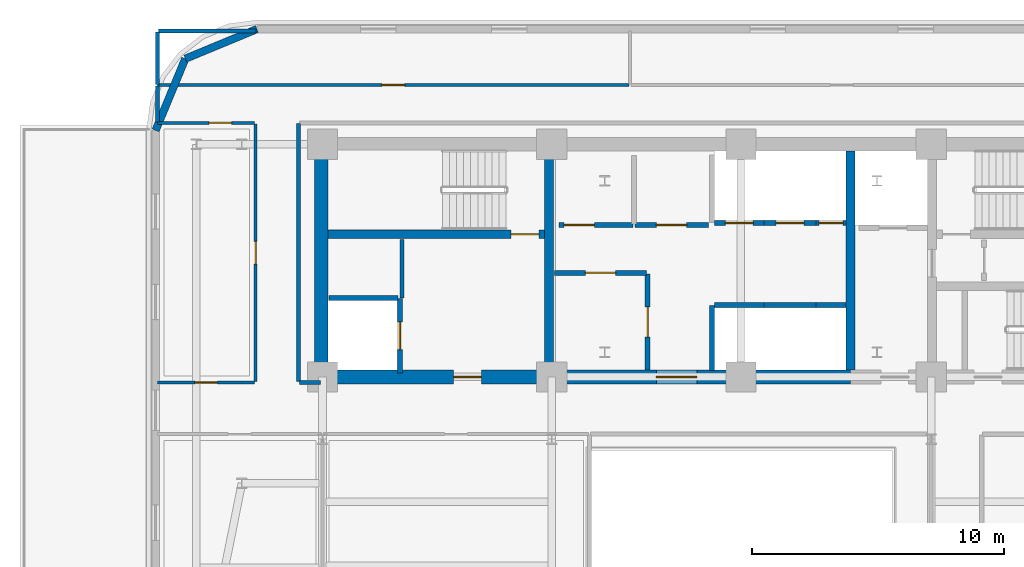
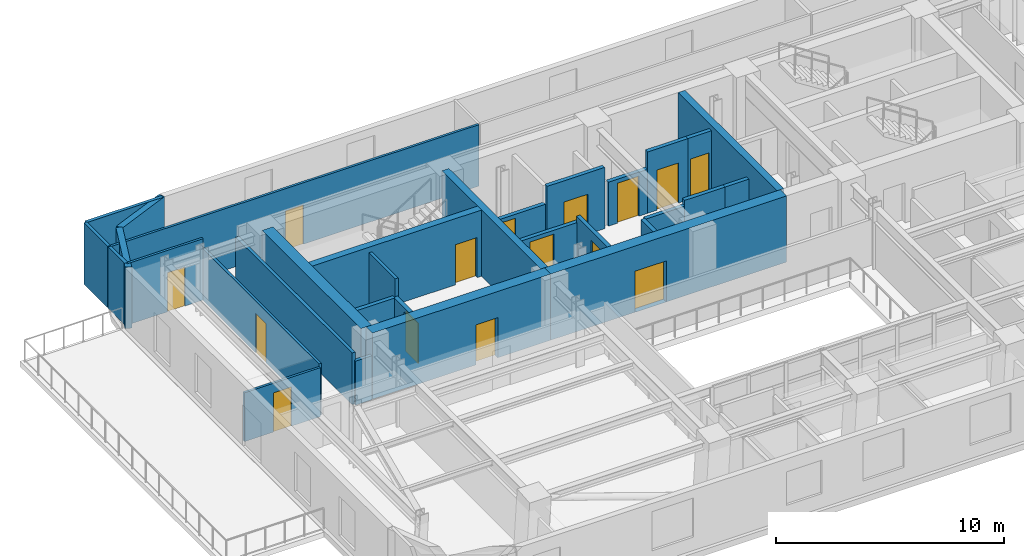
# One storey, part 7 of 13: 31 walls, 15 doors, 15 openings.
"""IFC4 building model written with IfcOpenShell, lengths in metres."""

from ifc_helpers import new_model, si_unit, direction, frame, frame_2d, origin, place, context, subcontext, project, spatial, rectangle, extrude, material, layer, layer_set, type_object, element, fill, save


model = new_model("IFC4")

# Units and contexts
model_context = context("Model", 3, precision=1e-05, world=origin(), true_north=direction((0.0, 1.0)))
body_context = subcontext(model_context, "Body", "Model", "MODEL_VIEW")
ifc_project = project(units=[si_unit("LENGTHUNIT", "METRE"), si_unit("AREAUNIT", "SQUARE_METRE"), si_unit("VOLUMEUNIT", "CUBIC_METRE"), si_unit("PLANEANGLEUNIT", "RADIAN"), si_unit("MASSUNIT", "GRAM", prefix="KILO")], contexts=[model_context])

# Site, building, storey
site_placement = place(None, origin())
site = spatial("IfcSite", under=ifc_project, at=site_placement, CompositionType="ELEMENT")
building_placement = place(site_placement, origin())
building = spatial("IfcBuilding", under=site, at=building_placement, Name="Zarnavel Station Tower", CompositionType="ELEMENT")
storey_placement = place(building_placement, frame((0.0, 0.0, 137.699951171875)))
storey = spatial("IfcBuildingStorey", under=building, at=storey_placement, Name="L37", CompositionType="ELEMENT", Elevation=137.699951171875)

# Walls
ifc_material_1 = material(Name="Concrete C50/60", Category="concrete")
ifc_layer_1 = layer(ifc_material_1, 0.35009765625)
ifc_layer_set_1 = layer_set([ifc_layer_1], Name="CW_350")
wall_type_1 = type_object("IfcWallType", Name="CW_350", PredefinedType="SHEAR", material=ifc_layer_set_1)
for number, where, z_axis, x_axis, name in (
    (1, (21.179931640625, 28.094970703125, 0.0), (0.0, 0.0, 1.0), (0.0, 1.0, 0.0), "L37 Rear Core Shear Wall DIV-W"),
    (2, (33.14990234375, 28.094970703125, 0.0), (0.0, 0.0, 1.0), (0.0, 1.0, 0.0), "L37 Rear Core Shear Wall DIV-E"),
):
    element("IfcWall", number, at=place(storey_placement, frame(where, z_axis=z_axis, x_axis=x_axis)), inside=storey, type_object=wall_type_1, Name=name, PredefinedType="SHEAR", context=body_context, shape_type="SweptSolid", body=[
        extrude(rectangle(XDim=8.679931640625, YDim=0.35009765625, at=frame_2d((4.33984375, 0.0))), origin(), (0.0, 0.0, 1.0), 3.550048828125),
    ])

# Wall, opening, door
wall_1_placement = place(storey_placement, frame((21.0048828125, 33.47998046875, 0.0), z_axis=(0.0, 0.0, 1.0), x_axis=(-1.0, 0.0, 0.0)))
wall_1 = element("IfcWall", 3, at=wall_1_placement, inside=storey, type_object=wall_type_1, Name="L37 Rear Core Shear Wall DIV-H1", PredefinedType="SHEAR", context=body_context, shape_type="SweptSolid", body=[
    extrude(rectangle(XDim=8.579833984375, YDim=0.35009765625, at=frame_2d((4.2900390625, 0.0))), origin(), (0.0, 0.0, 1.0), 3.550048828125),
])
opening_1_placement = place(wall_1_placement, frame((0.219970703125, 0.0, 0.0)))
opening_1 = element("IfcOpeningElement", 4, at=opening_1_placement, cuts=wall_1, Name="Opening FD01", PredefinedType="OPENING", context=body_context, shape_type="SweptSolid", body=[
    extrude(rectangle(XDim=1.10009765625, YDim=2.14990234375, at=frame_2d((0.550048828125, 1.074951171875))), frame((0.0, 0.18505859375, 0.0), z_axis=(0.0, -1.0, 0.0), x_axis=(1.0, 0.0, 0.0)), (0.0, 0.0, 1.0), 0.3701171875),
])
ifc_material_2 = material(Name="Painted Galvanised Steel and Hardwood Leaf", Category="steel")
door_type_1 = type_object("IfcDoorType", Name="ID_STAIR_1100", OperationType="NOTDEFINED", PredefinedType="DOOR", material=ifc_material_2)
door_1_placement = place(opening_1_placement, origin())
door_1 = element("IfcDoor", 5, at=door_1_placement, inside=storey, type_object=door_type_1, Name="L37 Stair ST1 Lobby Fire Door", OperationType="SINGLE_SWING_LEFT", OverallHeight=2.14990234375, OverallWidth=1.10009765625, PredefinedType="DOOR", context=body_context, shape_type="SweptSolid", body=[
    extrude(rectangle(XDim=1.10009765625, YDim=2.14990234375, at=frame_2d((0.550048828125, 1.074951171875))), frame((0.0, 0.02490234375, 0.0), z_axis=(0.0, -1.0, 0.0), x_axis=(1.0, 0.0, 0.0)), (0.0, 0.0, 1.0), 0.050048828125),
])
fill(opening_1, door_1)

ifc_material_3 = material(Name="Concrete C50/60", Category="concrete")
ifc_layer_2 = layer(ifc_material_3, 0.550048828125)
ifc_layer_set_2 = layer_set([ifc_layer_2], Name="CW_550")
wall_type_2 = type_object("IfcWallType", Name="CW_550", PredefinedType="SHEAR", material=ifc_layer_set_2)
wall_2_placement = place(storey_placement, frame((21.179931640625, 27.820068359375, 0.0), z_axis=(0.0, 0.0, 1.0), x_axis=(-1.0, 0.0, 0.0)))
wall_2 = element("IfcWall", 6, at=wall_2_placement, inside=storey, type_object=wall_type_2, Name="L37 Rear Core Shear Wall S-W", PredefinedType="SHEAR", context=body_context, shape_type="SweptSolid", body=[
    extrude(rectangle(XDim=9.030029296875, YDim=0.550048828125, at=frame_2d((4.51513671875, 0.0))), origin(), (0.0, 0.0, 1.0), 3.550048828125),
])
opening_2_placement = place(wall_2_placement, frame((2.679931640625, 0.0, 0.0)))
opening_2 = element("IfcOpeningElement", 7, at=opening_2_placement, cuts=wall_2, Name="Opening FD01", PredefinedType="OPENING", context=body_context, shape_type="SweptSolid", body=[
    extrude(rectangle(XDim=1.10009765625, YDim=2.14990234375, at=frame_2d((0.550048828125, 1.074951171875))), frame((0.0, 0.284912109375, 0.0), z_axis=(0.0, -1.0, 0.0), x_axis=(1.0, 0.0, 0.0)), (0.0, 0.0, 1.0), 0.570068359375),
])
door_2_placement = place(opening_2_placement, origin())
door_2 = element("IfcDoor", 8, at=door_2_placement, inside=storey, type_object=door_type_1, Name="L37 West Firefighting Lobby Door", OperationType="SINGLE_SWING_RIGHT", OverallHeight=2.14990234375, OverallWidth=1.10009765625, PredefinedType="DOOR", context=body_context, shape_type="SweptSolid", body=[
    extrude(rectangle(XDim=1.10009765625, YDim=2.14990234375, at=frame_2d((0.550048828125, 1.074951171875))), frame((0.0, 0.02490234375, 0.0), z_axis=(0.0, -1.0, 0.0), x_axis=(1.0, 0.0, 0.0)), (0.0, 0.0, 1.0), 0.050048828125),
])
fill(opening_2, door_2)

wall_3_placement = place(storey_placement, frame((33.14990234375, 27.820068359375, 0.0), z_axis=(0.0, 0.0, 1.0), x_axis=(-1.0, 0.0, 0.0)))
wall_3 = element("IfcWall", 9, at=wall_3_placement, inside=storey, type_object=wall_type_2, Name="L37 Rear Core Shear Wall S-M", PredefinedType="SHEAR", context=body_context, shape_type="SweptSolid", body=[
    extrude(rectangle(XDim=11.969970703125, YDim=0.550048828125, at=frame_2d((5.98486328125, 0.0))), origin(), (0.0, 0.0, 1.0), 3.550048828125),
])
opening_3_placement = place(wall_3_placement, frame((6.10009765625, 0.0, 0.0)))
opening_3 = element("IfcOpeningElement", 10, at=opening_3_placement, cuts=wall_3, Name="Opening ID03", PredefinedType="OPENING", context=body_context, shape_type="SweptSolid", body=[
    extrude(rectangle(XDim=1.60009765625, YDim=2.199951171875, at=frame_2d((0.800048828125, 1.10009765625))), frame((0.0, 0.284912109375, 0.0), z_axis=(0.0, -1.0, 0.0), x_axis=(1.0, 0.0, 0.0)), (0.0, 0.0, 1.0), 0.570068359375),
])
ifc_material_4 = material(Name="Painted Galvanised Steel and Hardwood Leaf", Category="steel")
door_type_2 = type_object("IfcDoorType", Name="ID_PUBLIC_1600", OperationType="DOUBLE_DOOR_SINGLE_SWING", PredefinedType="DOOR", material=ifc_material_4)
door_3_placement = place(opening_3_placement, origin())
door_3 = element("IfcDoor", 11, at=door_3_placement, inside=storey, type_object=door_type_2, Name="L37 Passenger Lift Lobby Double Door", OperationType="SINGLE_SWING_LEFT", OverallHeight=2.199951171875, OverallWidth=1.60009765625, PredefinedType="DOOR", context=body_context, shape_type="SweptSolid", body=[
    extrude(rectangle(XDim=1.60009765625, YDim=2.199951171875, at=frame_2d((0.800048828125, 1.10009765625))), frame((0.0, 0.02490234375, 0.0), z_axis=(0.0, -1.0, 0.0), x_axis=(1.0, 0.0, 0.0)), (0.0, 0.0, 1.0), 0.050048828125),
])
fill(opening_3, door_3)

# Walls
wall_4_placement = place(storey_placement, frame((12.14990234375, 28.094970703125, 0.0), z_axis=(0.0, 0.0, 1.0), x_axis=(0.0, 1.0, 0.0)))
element("IfcWall", 12, at=wall_4_placement, inside=storey, type_object=wall_type_2, Name="L37 Rear Core Shear Wall W", PredefinedType="SHEAR", context=body_context, shape_type="SweptSolid", body=[
    extrude(rectangle(XDim=8.679931640625, YDim=0.550048828125, at=frame_2d((4.33984375, 0.0))), origin(), (0.0, 0.0, 1.0), 3.550048828125),
])
ifc_material_5 = material(Name="Precast concrete C45/55 (Dark Basalt Finish)", Category="masonry")
ifc_layer_3 = layer(ifc_material_5, 0.300048828125)
ifc_layer_set_3 = layer_set([ifc_layer_3], Name="EW_BASALT_300")
wall_type_3 = type_object("IfcWallType", Name="EW_BASALT_300", PredefinedType="SOLIDWALL", material=ifc_layer_set_3)
wall_5_placement = place(storey_placement, frame((6.75732421875, 40.442626953125, 0.0), z_axis=(0.0, 0.0, 1.0), x_axis=(0.923882414032, 0.382676475685, 0.0)))
element("IfcWall", 13, at=wall_5_placement, inside=storey, type_object=wall_type_3, Name="L37 Exterior Basalt Masonry Frame Wall 07", PredefinedType="SOLIDWALL", context=body_context, shape_type="SweptSolid", body=[
    extrude(rectangle(XDim=3.076904296875, YDim=0.300048828125, at=frame_2d((1.53857421875, 0.0))), origin(), (0.0, 0.0, 1.0), 3.2900390625),
])
wall_6_placement = place(storey_placement, frame((5.580078125, 37.60009765625, 0.0), z_axis=(0.0, 0.0, 1.0), x_axis=(0.382636798336, 0.92389884758, 0.0)))
element("IfcWall", 14, at=wall_6_placement, inside=storey, type_object=wall_type_3, Name="L37 Exterior Basalt Masonry Frame Wall 08", PredefinedType="SOLIDWALL", context=body_context, shape_type="SweptSolid", body=[
    extrude(rectangle(XDim=3.07666015625, YDim=0.300048828125, at=frame_2d((1.538330078125, 0.0))), origin(), (0.0, 0.0, 1.0), 3.2900390625),
])
ifc_material_6 = material(Name="Gypsum Twin-Stud Acoustic Fire Partition", Category="concrete")
ifc_layer_4 = layer(ifc_material_6, 0.159912109375)
ifc_layer_set_4 = layer_set([ifc_layer_4], Name="PT_DEMISE_160")
wall_type_4 = type_object("IfcWallType", Name="PT_DEMISE_160", PredefinedType="PARTITIONING", material=ifc_layer_set_4)
wall_7_placement = place(storey_placement, frame((15.35009765625, 30.9599609375, 0.0), z_axis=(0.0, 0.0, 1.0), x_axis=(0.0, 1.0, 0.0)))
element("IfcWall", 15, at=wall_7_placement, inside=storey, type_object=wall_type_4, Name="L37 Enclosure Wall FFL1", PredefinedType="PARTITIONING", context=body_context, shape_type="SweptSolid", body=[
    extrude(rectangle(XDim=2.31005859375, YDim=0.159912109375, at=frame_2d((1.155029296875, 0.0))), origin(), (0.0, 0.0, 1.0), 3.2900390625),
])
wall_8_placement = place(storey_placement, frame((11.280029296875, 27.60009765625, 0.0), z_axis=(0.0, 0.0, 1.0), x_axis=(1.0, 0.0, 0.0)))
element("IfcWall", 16, at=wall_8_placement, inside=storey, type_object=wall_type_4, Name="L37 Enclosure Wall COR-S", PredefinedType="PARTITIONING", context=body_context, shape_type="SweptSolid", body=[
    extrude(rectangle(XDim=0.840087890625, YDim=0.159912109375, at=frame_2d((0.419921875, 0.0))), origin(), (0.0, 0.0, 1.0), 2.360107421875),
])
wall_9_placement = place(storey_placement, frame((11.25, 27.6298828125, 0.0), z_axis=(0.0, 0.0, 1.0), x_axis=(0.0, 1.0, 0.0)))
element("IfcWall", 17, at=wall_9_placement, inside=storey, type_object=wall_type_4, Name="L37 Enclosure Wall COR-W", PredefinedType="PARTITIONING", context=body_context, shape_type="SweptSolid", body=[
    extrude(rectangle(XDim=10.240234375, YDim=0.159912109375, at=frame_2d((5.1201171875, 0.0))), origin(), (0.0, 0.0, 1.0), 2.77001953125),
])
wall_10_placement = place(storey_placement, frame((5.659912109375, 37.929931640625, 0.0), z_axis=(0.0, 0.0, 1.0), x_axis=(0.0, 1.0, 0.0)))
element("IfcWall", 18, at=wall_10_placement, inside=storey, type_object=wall_type_4, Name="L37 Enclosure Wall COR-N", PredefinedType="PARTITIONING", context=body_context, shape_type="SweptSolid", body=[
    extrude(rectangle(XDim=1.440185546875, YDim=0.159912109375, at=frame_2d((0.72021484375, 0.0))), origin(), (0.0, 0.0, 1.0), 3.2900390625),
])
wall_11_placement = place(storey_placement, frame((5.68994140625, 41.5400390625, 0.0), z_axis=(0.0, 0.0, 1.0), x_axis=(1.0, 0.0, 0.0)))
element("IfcWall", 19, at=wall_11_placement, inside=storey, type_object=wall_type_4, Name="L37 Enclosure Wall NLIB", PredefinedType="PARTITIONING", context=body_context, shape_type="SweptSolid", body=[
    extrude(rectangle(XDim=3.880126953125, YDim=0.159912109375, at=frame_2d((1.93994140625, 0.0))), origin(), (0.0, 0.0, 1.0), 3.2900390625),
])
wall_12_placement = place(storey_placement, frame((5.659912109375, 39.429931640625, 0.0), z_axis=(0.0, 0.0, 1.0), x_axis=(0.0, 1.0, 0.0)))
element("IfcWall", 20, at=wall_12_placement, inside=storey, type_object=wall_type_4, Name="L37 Enclosure Wall NLIB", PredefinedType="PARTITIONING", context=body_context, shape_type="SweptSolid", body=[
    extrude(rectangle(XDim=2.080078125, YDim=0.159912109375, at=frame_2d((1.0400390625, 0.0))), origin(), (0.0, 0.0, 1.0), 3.2900390625),
])

# Wall, opening, door
ifc_material_7 = material(Name="Gypsum Metal-Stud Interior Partition", Category="concrete")
ifc_layer_5 = layer(ifc_material_7, 0.1201171875)
ifc_layer_set_5 = layer_set([ifc_layer_5], Name="PT_ROOM_120")
wall_type_5 = type_object("IfcWallType", Name="PT_ROOM_120", PredefinedType="PARTITIONING", material=ifc_layer_set_5)
wall_13_placement = place(storey_placement, frame((5.659912109375, 27.60009765625, 0.0), z_axis=(0.0, 0.0, 1.0), x_axis=(1.0, 0.0, 0.0)))
wall_13 = element("IfcWall", 21, at=wall_13_placement, inside=storey, type_object=wall_type_5, Name="L37 Partition COR-S-FNW", PredefinedType="PARTITIONING", context=body_context, shape_type="SweptSolid", body=[
    extrude(rectangle(XDim=3.85009765625, YDim=0.1201171875, at=frame_2d((1.925048828125, 0.0))), origin(), (0.0, 0.0, 1.0), 2.6201171875),
])
opening_4_placement = place(wall_13_placement, frame((1.47509765625, 0.0, 0.0)))
opening_4 = element("IfcOpeningElement", 22, at=opening_4_placement, cuts=wall_13, Name="Opening ID01", PredefinedType="OPENING", context=body_context, shape_type="SweptSolid", body=[
    extrude(rectangle(XDim=0.89990234375, YDim=2.10009765625, at=frame_2d((0.449951171875, 1.050048828125))), frame((0.0, 0.070068359375, 0.0), z_axis=(0.0, -1.0, 0.0), x_axis=(1.0, 0.0, 0.0)), (0.0, 0.0, 1.0), 0.14013671875),
])
ifc_material_8 = material(Name="Painted Galvanised Steel and Hardwood Leaf", Category="steel")
door_type_3 = type_object("IfcDoorType", Name="ID_ROOM_900", OperationType="NOTDEFINED", PredefinedType="DOOR", material=ifc_material_8)
door_4_placement = place(opening_4_placement, origin())
door_4 = element("IfcDoor", 23, at=door_4_placement, inside=storey, type_object=door_type_3, Name="L37 Door COR-S-FNW", OperationType="SINGLE_SWING_RIGHT", OverallHeight=2.10009765625, OverallWidth=0.89990234375, PredefinedType="DOOR", context=body_context, shape_type="SweptSolid", body=[
    extrude(rectangle(XDim=0.89990234375, YDim=2.10009765625, at=frame_2d((0.449951171875, 1.050048828125))), frame((0.0, 0.02490234375, 0.0), z_axis=(0.0, -1.0, 0.0), x_axis=(1.0, 0.0, 0.0)), (0.0, 0.0, 1.0), 0.050048828125),
])
fill(opening_4, door_4)

wall_14_placement = place(storey_placement, frame((9.550048828125, 27.639892578125, 0.0), z_axis=(0.0, 0.0, 1.0), x_axis=(0.0, 1.0, 0.0)))
wall_14 = element("IfcWall", 24, at=wall_14_placement, inside=storey, type_object=wall_type_5, Name="L37 Partition COR-W-FNW", PredefinedType="PARTITIONING", context=body_context, shape_type="SweptSolid", body=[
    extrude(rectangle(XDim=10.22021484375, YDim=0.1201171875, at=frame_2d((5.110107421875, 0.0))), origin(), (0.0, 0.0, 1.0), 2.77001953125),
])
opening_5_placement = place(wall_14_placement, frame((4.659912109375, 0.0, 0.0)))
opening_5 = element("IfcOpeningElement", 25, at=opening_5_placement, cuts=wall_14, Name="Opening ID01", PredefinedType="OPENING", context=body_context, shape_type="SweptSolid", body=[
    extrude(rectangle(XDim=0.89990234375, YDim=2.10009765625, at=frame_2d((0.449951171875, 1.050048828125))), frame((0.0, 0.070068359375, 0.0), z_axis=(0.0, -1.0, 0.0), x_axis=(1.0, 0.0, 0.0)), (0.0, 0.0, 1.0), 0.14013671875),
])
door_5_placement = place(opening_5_placement, origin())
door_5 = element("IfcDoor", 26, at=door_5_placement, inside=storey, type_object=door_type_3, Name="L37 Door COR-W-FNW", OperationType="SINGLE_SWING_LEFT", OverallHeight=2.10009765625, OverallWidth=0.89990234375, PredefinedType="DOOR", context=body_context, shape_type="SweptSolid", body=[
    extrude(rectangle(XDim=0.89990234375, YDim=2.10009765625, at=frame_2d((0.449951171875, 1.050048828125))), frame((0.0, 0.02490234375, 0.0), z_axis=(0.0, -1.0, 0.0), x_axis=(1.0, 0.0, 0.0)), (0.0, 0.0, 1.0), 0.050048828125),
])
fill(opening_5, door_5)

wall_15_placement = place(storey_placement, frame((5.659912109375, 37.89990234375, 0.0), z_axis=(0.0, 0.0, 1.0), x_axis=(1.0, 0.0, 0.0)))
wall_15 = element("IfcWall", 27, at=wall_15_placement, inside=storey, type_object=wall_type_5, Name="L37 Partition COR-N-FNW", PredefinedType="PARTITIONING", context=body_context, shape_type="SweptSolid", body=[
    extrude(rectangle(XDim=3.85009765625, YDim=0.1201171875, at=frame_2d((1.925048828125, 0.0))), origin(), (0.0, 0.0, 1.0), 3.2900390625),
])
opening_6_placement = place(wall_15_placement, frame((2.03125, 0.0, 0.0)))
opening_6 = element("IfcOpeningElement", 28, at=opening_6_placement, cuts=wall_15, Name="Opening ID01", PredefinedType="OPENING", context=body_context, shape_type="SweptSolid", body=[
    extrude(rectangle(XDim=0.89990234375, YDim=2.10009765625, at=frame_2d((0.449951171875, 1.050048828125))), frame((0.0, 0.070068359375, 0.0), z_axis=(0.0, -1.0, 0.0), x_axis=(1.0, 0.0, 0.0)), (0.0, 0.0, 1.0), 0.14013671875),
])
door_6_placement = place(opening_6_placement, origin())
door_6 = element("IfcDoor", 29, at=door_6_placement, inside=storey, type_object=door_type_3, Name="L37 Door COR-N-FNW", OperationType="SINGLE_SWING_LEFT", OverallHeight=2.10009765625, OverallWidth=0.89990234375, PredefinedType="DOOR", context=body_context, shape_type="SweptSolid", body=[
    extrude(rectangle(XDim=0.89990234375, YDim=2.10009765625, at=frame_2d((0.449951171875, 1.050048828125))), frame((0.0, 0.02490234375, 0.0), z_axis=(0.0, -1.0, 0.0), x_axis=(1.0, 0.0, 0.0)), (0.0, 0.0, 1.0), 0.050048828125),
])
fill(opening_6, door_6)

wall_16_placement = place(storey_placement, frame((5.659912109375, 39.39990234375, 0.0), z_axis=(0.0, 0.0, 1.0), x_axis=(1.0, 0.0, 0.0)))
wall_16 = element("IfcWall", 30, at=wall_16_placement, inside=storey, type_object=wall_type_5, Name="L37 Partition COR-N-NLIB", PredefinedType="PARTITIONING", context=body_context, shape_type="SweptSolid", body=[
    extrude(rectangle(XDim=18.7001953125, YDim=0.1201171875, at=frame_2d((9.35009765625, 0.0))), origin(), (0.0, 0.0, 1.0), 3.2900390625),
])
opening_7_placement = place(wall_16_placement, frame((8.89990234375, 0.0, 0.0)))
opening_7 = element("IfcOpeningElement", 31, at=opening_7_placement, cuts=wall_16, Name="Opening ID01", PredefinedType="OPENING", context=body_context, shape_type="SweptSolid", body=[
    extrude(rectangle(XDim=0.89990234375, YDim=2.10009765625, at=frame_2d((0.449951171875, 1.050048828125))), frame((0.0, 0.070068359375, 0.0), z_axis=(0.0, -1.0, 0.0), x_axis=(1.0, 0.0, 0.0)), (0.0, 0.0, 1.0), 0.14013671875),
])
door_7_placement = place(opening_7_placement, origin())
door_7 = element("IfcDoor", 32, at=door_7_placement, inside=storey, type_object=door_type_3, Name="L37 Door COR-N-NLIB", OperationType="SINGLE_SWING_LEFT", OverallHeight=2.10009765625, OverallWidth=0.89990234375, PredefinedType="DOOR", context=body_context, shape_type="SweptSolid", body=[
    extrude(rectangle(XDim=0.89990234375, YDim=2.10009765625, at=frame_2d((0.449951171875, 1.050048828125))), frame((0.0, 0.02490234375, 0.0), z_axis=(0.0, -1.0, 0.0), x_axis=(1.0, 0.0, 0.0)), (0.0, 0.0, 1.0), 0.050048828125),
])
fill(opening_7, door_7)

ifc_material_9 = material(Name="Precast concrete C45/55 (Fire Shaft Blockwork)", Category="masonry")
ifc_layer_6 = layer(ifc_material_9, 0.199951171875)
ifc_layer_set_6 = layer_set([ifc_layer_6], Name="PT_SHAFT_200")
wall_type_6 = type_object("IfcWallType", Name="PT_SHAFT_200", PredefinedType="PARTITIONING", material=ifc_layer_set_6)
wall_17_placement = place(storey_placement, frame((15.27001953125, 27.969970703125, 0.0), z_axis=(0.0, 0.0, 1.0), x_axis=(0.0, 1.0, 0.0)))
wall_17 = element("IfcWall", 33, at=wall_17_placement, inside=storey, type_object=wall_type_6, Name="L37 Lift FFL-01 Shaft Front Wall", PredefinedType="PARTITIONING", context=body_context, shape_type="SweptSolid", body=[
    extrude(rectangle(XDim=2.9599609375, YDim=0.199951171875, at=frame_2d((1.47998046875, 0.0))), origin(), (0.0, 0.0, 1.0), 2.360107421875),
])
opening_8_placement = place(wall_17_placement, frame((0.929931640625, 0.0, 0.0)))
opening_8 = element("IfcOpeningElement", 34, at=opening_8_placement, cuts=wall_17, Name="Opening LD01", PredefinedType="OPENING", context=body_context, shape_type="SweptSolid", body=[
    extrude(rectangle(XDim=1.10009765625, YDim=2.14990234375, at=frame_2d((0.550048828125, 1.074951171875))), frame((0.0, 0.10986328125, 0.0), z_axis=(0.0, -1.0, 0.0), x_axis=(1.0, 0.0, 0.0)), (0.0, 0.0, 1.0), 0.219970703125),
])
ifc_material_10 = material(Name="Painted Galvanised Steel and Hardwood Leaf", Category="steel")
door_type_4 = type_object("IfcDoorType", Name="LD_FF_1100", OperationType="DOUBLE_DOOR_SLIDING", PredefinedType="DOOR", material=ifc_material_10)
door_8_placement = place(opening_8_placement, origin())
door_8 = element("IfcDoor", 35, at=door_8_placement, inside=storey, type_object=door_type_4, Name="L37 Lift FFL-01 Sliding Landing Door", OperationType="DOUBLE_DOOR_SLIDING", OverallHeight=2.14990234375, OverallWidth=1.10009765625, PredefinedType="DOOR", context=body_context, shape_type="SweptSolid", body=[
    extrude(rectangle(XDim=1.10009765625, YDim=2.14990234375, at=frame_2d((0.550048828125, 1.074951171875))), frame((0.0, 0.02490234375, 0.0), z_axis=(0.0, -1.0, 0.0), x_axis=(1.0, 0.0, 0.0)), (0.0, 0.0, 1.0), 0.050048828125),
])
fill(opening_8, door_8)

# Walls
wall_18_placement = place(storey_placement, frame((12.449951171875, 30.949951171875, 0.0), z_axis=(0.0, 0.0, 1.0), x_axis=(1.0, 0.0, 0.0)))
element("IfcWall", 36, at=wall_18_placement, inside=storey, type_object=wall_type_6, Name="L37 Lift FFL-01 North Shaft Wall", PredefinedType="PARTITIONING", context=body_context, shape_type="SweptSolid", body=[
    extrude(rectangle(XDim=2.75, YDim=0.199951171875, at=frame_2d((1.375, 0.0))), origin(), (0.0, 0.0, 1.0), 2.360107421875),
])
wall_19_placement = place(storey_placement, frame((27.75, 30.669921875, 0.0), z_axis=(0.0, 0.0, 1.0), x_axis=(1.0, 0.0, 0.0)))
element("IfcWall", 37, at=wall_19_placement, inside=storey, type_object=wall_type_6, Name="L37 Lift PL-H1 Shaft Front Wall", PredefinedType="PARTITIONING", context=body_context, shape_type="SweptSolid", body=[
    extrude(rectangle(XDim=1.97509765625, YDim=0.199951171875, at=frame_2d((0.987548828125, 0.0))), origin(), (0.0, 0.0, 1.0), 2.360107421875),
])
wall_20_placement = place(storey_placement, frame((27.64990234375, 28.070068359375, 0.0), z_axis=(0.0, 0.0, 1.0), x_axis=(0.0, 1.0, 0.0)))
element("IfcWall", 38, at=wall_20_placement, inside=storey, type_object=wall_type_6, Name="L37 High-Rise Lift Bank West Shaft Wall", PredefinedType="PARTITIONING", context=body_context, shape_type="SweptSolid", body=[
    extrude(rectangle(XDim=2.579833984375, YDim=0.199951171875, at=frame_2d((1.2900390625, 0.0))), origin(), (0.0, 0.0, 1.0), 2.360107421875),
])
wall_21_placement = place(storey_placement, frame((29.72509765625, 30.669921875, 0.0), z_axis=(0.0, 0.0, 1.0), x_axis=(1.0, 0.0, 0.0)))
element("IfcWall", 39, at=wall_21_placement, inside=storey, type_object=wall_type_6, Name="L37 Lift PL-H2 Shaft Front Wall", PredefinedType="PARTITIONING", context=body_context, shape_type="SweptSolid", body=[
    extrude(rectangle(XDim=2.0498046875, YDim=0.199951171875, at=frame_2d((1.02490234375, 0.0))), origin(), (0.0, 0.0, 1.0), 2.670166015625),
])
wall_22_placement = place(storey_placement, frame((31.77490234375, 30.669921875, 0.0), z_axis=(0.0, 0.0, 1.0), x_axis=(1.0, 0.0, 0.0)))
element("IfcWall", 40, at=wall_22_placement, inside=storey, type_object=wall_type_6, Name="L37 Lift PL-H3 Shaft Front Wall", PredefinedType="PARTITIONING", context=body_context, shape_type="SweptSolid", body=[
    extrude(rectangle(XDim=1.2001953125, YDim=0.199951171875, at=frame_2d((0.60009765625, 0.0))), origin(), (0.0, 0.0, 1.0), 2.670166015625),
])

# Wall, opening, door
wall_23_placement = place(storey_placement, frame((27.75, 33.929931640625, 0.0), z_axis=(0.0, 0.0, 1.0), x_axis=(1.0, 0.0, 0.0)))
wall_23 = element("IfcWall", 41, at=wall_23_placement, inside=storey, type_object=wall_type_6, Name="L37 Lift PL-M1 Shaft Front Wall", PredefinedType="PARTITIONING", context=body_context, shape_type="SweptSolid", body=[
    extrude(rectangle(XDim=1.97509765625, YDim=0.199951171875, at=frame_2d((0.987548828125, 0.0))), origin(), (0.0, 0.0, 1.0), 2.360107421875),
])
opening_9_placement = place(wall_23_placement, frame((0.4375, 0.0, 0.0)))
opening_9 = element("IfcOpeningElement", 42, at=opening_9_placement, cuts=wall_23, Name="Opening LD02", PredefinedType="OPENING", context=body_context, shape_type="SweptSolid", body=[
    extrude(rectangle(XDim=1.10009765625, YDim=2.14990234375, at=frame_2d((0.550048828125, 1.074951171875))), frame((0.0, 0.10986328125, 0.0), z_axis=(0.0, -1.0, 0.0), x_axis=(1.0, 0.0, 0.0)), (0.0, 0.0, 1.0), 0.219970703125),
])
ifc_material_11 = material(Name="Painted Galvanised Steel and Hardwood Leaf", Category="steel")
door_type_5 = type_object("IfcDoorType", Name="LD_PAX_1100", OperationType="DOUBLE_DOOR_SLIDING", PredefinedType="DOOR", material=ifc_material_11)
door_9_placement = place(opening_9_placement, origin())
door_9 = element("IfcDoor", 43, at=door_9_placement, inside=storey, type_object=door_type_5, Name="L37 Lift PL-M1 Sliding Landing Door", OperationType="DOUBLE_DOOR_SLIDING", OverallHeight=2.14990234375, OverallWidth=1.10009765625, PredefinedType="DOOR", context=body_context, shape_type="SweptSolid", body=[
    extrude(rectangle(XDim=1.10009765625, YDim=2.14990234375, at=frame_2d((0.550048828125, 1.074951171875))), frame((0.0, 0.02490234375, 0.0), z_axis=(0.0, -1.0, 0.0), x_axis=(1.0, 0.0, 0.0)), (0.0, 0.0, 1.0), 0.050048828125),
])
fill(opening_9, door_9)

wall_24_placement = place(storey_placement, frame((29.72509765625, 33.929931640625, 0.0), z_axis=(0.0, 0.0, 1.0), x_axis=(1.0, 0.0, 0.0)))
wall_24 = element("IfcWall", 44, at=wall_24_placement, inside=storey, type_object=wall_type_6, Name="L37 Lift PL-M2 Shaft Front Wall", PredefinedType="PARTITIONING", context=body_context, shape_type="SweptSolid", body=[
    extrude(rectangle(XDim=2.0498046875, YDim=0.199951171875, at=frame_2d((1.02490234375, 0.0))), origin(), (0.0, 0.0, 1.0), 3.2900390625),
])
opening_10_placement = place(wall_24_placement, frame((0.47509765625, 0.0, 0.0)))
opening_10 = element("IfcOpeningElement", 45, at=opening_10_placement, cuts=wall_24, Name="Opening LD02", PredefinedType="OPENING", context=body_context, shape_type="SweptSolid", body=[
    extrude(rectangle(XDim=1.10009765625, YDim=2.14990234375, at=frame_2d((0.550048828125, 1.074951171875))), frame((0.0, 0.10986328125, 0.0), z_axis=(0.0, -1.0, 0.0), x_axis=(1.0, 0.0, 0.0)), (0.0, 0.0, 1.0), 0.219970703125),
])
door_10_placement = place(opening_10_placement, origin())
door_10 = element("IfcDoor", 46, at=door_10_placement, inside=storey, type_object=door_type_5, Name="L37 Lift PL-M2 Sliding Landing Door", OperationType="DOUBLE_DOOR_SLIDING", OverallHeight=2.14990234375, OverallWidth=1.10009765625, PredefinedType="DOOR", context=body_context, shape_type="SweptSolid", body=[
    extrude(rectangle(XDim=1.10009765625, YDim=2.14990234375, at=frame_2d((0.550048828125, 1.074951171875))), frame((0.0, 0.02490234375, 0.0), z_axis=(0.0, -1.0, 0.0), x_axis=(1.0, 0.0, 0.0)), (0.0, 0.0, 1.0), 0.050048828125),
])
fill(opening_10, door_10)

wall_25_placement = place(storey_placement, frame((31.77490234375, 33.929931640625, 0.0), z_axis=(0.0, 0.0, 1.0), x_axis=(1.0, 0.0, 0.0)))
wall_25 = element("IfcWall", 47, at=wall_25_placement, inside=storey, type_object=wall_type_6, Name="L37 Lift PL-M3 Shaft Front Wall", PredefinedType="PARTITIONING", context=body_context, shape_type="SweptSolid", body=[
    extrude(rectangle(XDim=1.2001953125, YDim=0.199951171875, at=frame_2d((0.60009765625, 0.0))), origin(), (0.0, 0.0, 1.0), 3.2900390625),
])
opening_11_placement = place(wall_25_placement, frame((0.125, 0.0, 0.0)))
opening_11 = element("IfcOpeningElement", 48, at=opening_11_placement, cuts=wall_25, Name="Opening LD03", PredefinedType="OPENING", context=body_context, shape_type="SweptSolid", body=[
    extrude(rectangle(XDim=0.949951171875, YDim=2.14990234375, at=frame_2d((0.47509765625, 1.074951171875))), frame((0.0, 0.10986328125, 0.0), z_axis=(0.0, -1.0, 0.0), x_axis=(1.0, 0.0, 0.0)), (0.0, 0.0, 1.0), 0.219970703125),
])
ifc_material_12 = material(Name="Painted Galvanised Steel and Hardwood Leaf", Category="steel")
door_type_6 = type_object("IfcDoorType", Name="LD_PAX_0950", OperationType="DOUBLE_DOOR_SLIDING", PredefinedType="DOOR", material=ifc_material_12)
door_11_placement = place(opening_11_placement, origin())
door_11 = element("IfcDoor", 49, at=door_11_placement, inside=storey, type_object=door_type_6, Name="L37 Lift PL-M3 Sliding Landing Door", OperationType="DOUBLE_DOOR_SLIDING", OverallHeight=2.14990234375, OverallWidth=0.949951171875, PredefinedType="DOOR", context=body_context, shape_type="SweptSolid", body=[
    extrude(rectangle(XDim=0.949951171875, YDim=2.14990234375, at=frame_2d((0.47509765625, 1.074951171875))), frame((0.0, 0.02490234375, 0.0), z_axis=(0.0, -1.0, 0.0), x_axis=(1.0, 0.0, 0.0)), (0.0, 0.0, 1.0), 0.050048828125),
])
fill(opening_11, door_11)

wall_26_placement = place(storey_placement, frame((21.39990234375, 31.949951171875, 0.0), z_axis=(0.0, 0.0, 1.0), x_axis=(1.0, 0.0, 0.0)))
wall_26 = element("IfcWall", 50, at=wall_26_placement, inside=storey, type_object=wall_type_6, Name="L37 Partition LLOB-CS1", PredefinedType="PARTITIONING", context=body_context, shape_type="SweptSolid", body=[
    extrude(rectangle(XDim=3.66015625, YDim=0.199951171875, at=frame_2d((1.830078125, 0.0))), origin(), (0.0, 0.0, 1.0), 2.360107421875),
])
opening_12_placement = place(wall_26_placement, frame((1.22998046875, 0.0, 0.0)))
opening_12 = element("IfcOpeningElement", 51, at=opening_12_placement, cuts=wall_26, Name="Opening FD03", PredefinedType="OPENING", context=body_context, shape_type="SweptSolid", body=[
    extrude(rectangle(XDim=1.199951171875, YDim=2.14990234375, at=frame_2d((0.60009765625, 1.074951171875))), frame((0.0, 0.10986328125, 0.0), z_axis=(0.0, -1.0, 0.0), x_axis=(1.0, 0.0, 0.0)), (0.0, 0.0, 1.0), 0.219970703125),
])
ifc_material_13 = material(Name="Painted Galvanised Steel and Hardwood Leaf", Category="steel")
door_type_7 = type_object("IfcDoorType", Name="ID_PLANT_1200", OperationType="NOTDEFINED", PredefinedType="DOOR", material=ifc_material_13)
door_12_placement = place(opening_12_placement, origin())
door_12 = element("IfcDoor", 52, at=door_12_placement, inside=storey, type_object=door_type_7, Name="L37 Door LLOB-CS1", OperationType="SINGLE_SWING_RIGHT", OverallHeight=2.14990234375, OverallWidth=1.199951171875, PredefinedType="DOOR", context=body_context, shape_type="SweptSolid", body=[
    extrude(rectangle(XDim=1.199951171875, YDim=2.14990234375, at=frame_2d((0.60009765625, 1.074951171875))), frame((0.0, 0.02490234375, 0.0), z_axis=(0.0, -1.0, 0.0), x_axis=(1.0, 0.0, 0.0)), (0.0, 0.0, 1.0), 0.050048828125),
])
fill(opening_12, door_12)

wall_27_placement = place(storey_placement, frame((21.590087890625, 33.85009765625, 0.0), z_axis=(0.0, 0.0, 1.0), x_axis=(1.0, 0.0, 0.0)))
wall_27 = element("IfcWall", 53, at=wall_27_placement, inside=storey, type_object=wall_type_6, Name="L37 Partition LLOB-FB1A", PredefinedType="PARTITIONING", context=body_context, shape_type="SweptSolid", body=[
    extrude(rectangle(XDim=2.919921875, YDim=0.199951171875, at=frame_2d((1.4599609375, 0.0))), origin(), (0.0, 0.0, 1.0), 2.360107421875),
])
opening_13_placement = place(wall_27_placement, frame((0.199951171875, 0.0, 0.0)))
opening_13 = element("IfcOpeningElement", 54, at=opening_13_placement, cuts=wall_27, Name="Opening FD03", PredefinedType="OPENING", context=body_context, shape_type="SweptSolid", body=[
    extrude(rectangle(XDim=1.199951171875, YDim=2.14990234375, at=frame_2d((0.60009765625, 1.074951171875))), frame((0.0, 0.10986328125, 0.0), z_axis=(0.0, -1.0, 0.0), x_axis=(1.0, 0.0, 0.0)), (0.0, 0.0, 1.0), 0.219970703125),
])
door_13_placement = place(opening_13_placement, origin())
door_13 = element("IfcDoor", 55, at=door_13_placement, inside=storey, type_object=door_type_7, Name="L37 Door LLOB-FB1A", OperationType="SINGLE_SWING_LEFT", OverallHeight=2.14990234375, OverallWidth=1.199951171875, PredefinedType="DOOR", context=body_context, shape_type="SweptSolid", body=[
    extrude(rectangle(XDim=1.199951171875, YDim=2.14990234375, at=frame_2d((0.60009765625, 1.074951171875))), frame((0.0, 0.02490234375, 0.0), z_axis=(0.0, -1.0, 0.0), x_axis=(1.0, 0.0, 0.0)), (0.0, 0.0, 1.0), 0.050048828125),
])
fill(opening_13, door_13)

wall_28_placement = place(storey_placement, frame((24.590087890625, 33.85009765625, 0.0), z_axis=(0.0, 0.0, 1.0), x_axis=(1.0, 0.0, 0.0)))
wall_28 = element("IfcWall", 56, at=wall_28_placement, inside=storey, type_object=wall_type_6, Name="L37 Partition LLOB-FB1B", PredefinedType="PARTITIONING", context=body_context, shape_type="SweptSolid", body=[
    extrude(rectangle(XDim=2.919921875, YDim=0.199951171875, at=frame_2d((1.4599609375, 0.0))), origin(), (0.0, 0.0, 1.0), 3.2900390625),
])
opening_14_placement = place(wall_28_placement, frame((0.860107421875, 0.0, 0.0)))
opening_14 = element("IfcOpeningElement", 57, at=opening_14_placement, cuts=wall_28, Name="Opening FD03", PredefinedType="OPENING", context=body_context, shape_type="SweptSolid", body=[
    extrude(rectangle(XDim=1.199951171875, YDim=2.14990234375, at=frame_2d((0.60009765625, 1.074951171875))), frame((0.0, 0.10986328125, 0.0), z_axis=(0.0, -1.0, 0.0), x_axis=(1.0, 0.0, 0.0)), (0.0, 0.0, 1.0), 0.219970703125),
])
door_14_placement = place(opening_14_placement, origin())
door_14 = element("IfcDoor", 58, at=door_14_placement, inside=storey, type_object=door_type_7, Name="L37 Door LLOB-FB1B", OperationType="SINGLE_SWING_RIGHT", OverallHeight=2.14990234375, OverallWidth=1.199951171875, PredefinedType="DOOR", context=body_context, shape_type="SweptSolid", body=[
    extrude(rectangle(XDim=1.199951171875, YDim=2.14990234375, at=frame_2d((0.60009765625, 1.074951171875))), frame((0.0, 0.02490234375, 0.0), z_axis=(0.0, -1.0, 0.0), x_axis=(1.0, 0.0, 0.0)), (0.0, 0.0, 1.0), 0.050048828125),
])
fill(opening_14, door_14)

wall_29_placement = place(storey_placement, frame((25.10009765625, 28.090087890625, 0.0), z_axis=(0.0, 0.0, 1.0), x_axis=(0.0, 1.0, 0.0)))
wall_29 = element("IfcWall", 59, at=wall_29_placement, inside=storey, type_object=wall_type_6, Name="L37 Partition LLOBS-CS1", PredefinedType="PARTITIONING", context=body_context, shape_type="SweptSolid", body=[
    extrude(rectangle(XDim=3.81982421875, YDim=0.199951171875, at=frame_2d((1.909912109375, 0.0))), origin(), (0.0, 0.0, 1.0), 2.670166015625),
])
opening_15_placement = place(wall_29_placement, frame((1.31005859375, 0.0, 0.0)))
opening_15 = element("IfcOpeningElement", 60, at=opening_15_placement, cuts=wall_29, Name="Opening FD03", PredefinedType="OPENING", context=body_context, shape_type="SweptSolid", body=[
    extrude(rectangle(XDim=1.199951171875, YDim=2.14990234375, at=frame_2d((0.60009765625, 1.074951171875))), frame((0.0, 0.10986328125, 0.0), z_axis=(0.0, -1.0, 0.0), x_axis=(1.0, 0.0, 0.0)), (0.0, 0.0, 1.0), 0.219970703125),
])
door_15_placement = place(opening_15_placement, origin())
door_15 = element("IfcDoor", 61, at=door_15_placement, inside=storey, type_object=door_type_7, Name="L37 Door LLOBS-CS1", OperationType="SINGLE_SWING_LEFT", OverallHeight=2.14990234375, OverallWidth=1.199951171875, PredefinedType="DOOR", context=body_context, shape_type="SweptSolid", body=[
    extrude(rectangle(XDim=1.199951171875, YDim=2.14990234375, at=frame_2d((0.60009765625, 1.074951171875))), frame((0.0, 0.02490234375, 0.0), z_axis=(0.0, -1.0, 0.0), x_axis=(1.0, 0.0, 0.0)), (0.0, 0.0, 1.0), 0.050048828125),
])
fill(opening_15, door_15)

save(model, "model.ifc")
